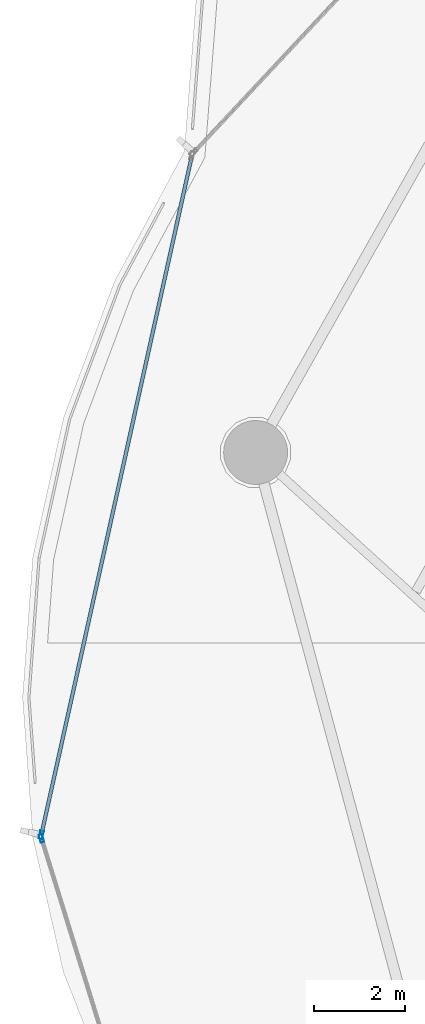
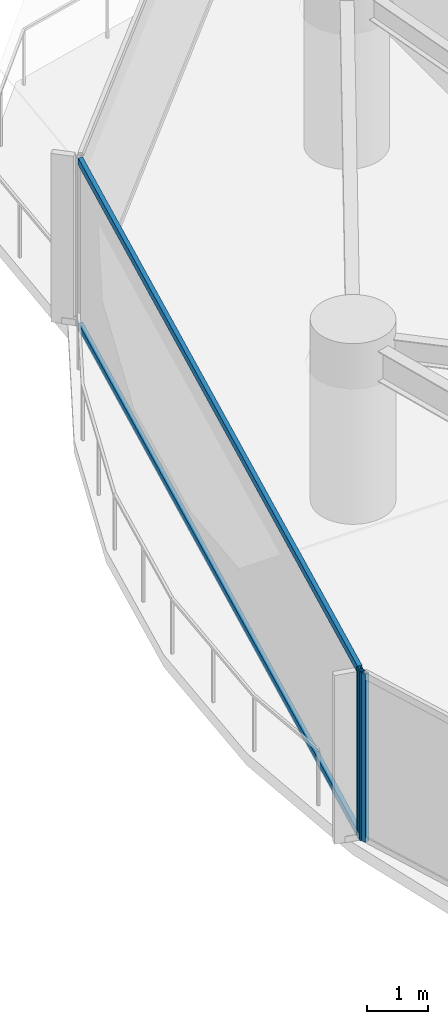
# One storey, part 8 of 33: 4 members, 2 elements without a shape of their own.
"""IFC4 building model written with IfcOpenShell, lengths in metres."""

from ifc_helpers import new_model, si_unit, direction, frame, origin, origin_2d, place, context, subcontext, project, spatial, hollow_rectangle, extrude, material, layer, layer_set, material_profile, profile_set, type_object, element, aggregate, save


model = new_model("IFC4")

# Units and contexts
model_context = context("Model", 3, precision=1e-05, world=origin(), true_north=direction((0.0, 1.0)))
body_context = subcontext(model_context, "Body", "Model", "MODEL_VIEW")
ifc_project = project(units=[si_unit("LENGTHUNIT", "METRE"), si_unit("AREAUNIT", "SQUARE_METRE"), si_unit("VOLUMEUNIT", "CUBIC_METRE"), si_unit("PLANEANGLEUNIT", "RADIAN"), si_unit("MASSUNIT", "GRAM", prefix="KILO")], contexts=[model_context])

# Site, building, storey
site_placement = place(None, origin())
site = spatial("IfcSite", under=ifc_project, at=site_placement, CompositionType="ELEMENT")
building_placement = place(site_placement, origin())
building = spatial("IfcBuilding", under=site, at=building_placement, Name="Kazevale Care Tower and Concert Hall", CompositionType="ELEMENT")
storey_placement = place(building_placement, frame((0.0, 0.0, 45.60009765625)))
storey = spatial("IfcBuildingStorey", under=building, at=storey_placement, Name="L11", CompositionType="ELEMENT", Elevation=45.60009765625)

# Curtain wall, member
ifc_material_1 = material(Name="Aluminium 6063-T6 and Low-E Glass", Category="aluminium")
ifc_layer = layer(ifc_material_1, 0.179931640625)
ifc_layer_set = layer_set([ifc_layer], Name="Aluminium 6063-T6 and Low-E Glass")
curtain_wall_type = type_object("IfcCurtainWallType", Name="Waist & Upper Residential Curtain Wall CW-4", PredefinedType="NOTDEFINED", material=ifc_layer_set)
curtain_wall_1_placement = place(storey_placement, origin())
curtain_wall_1 = element("IfcCurtainWall", 1, at=curtain_wall_1_placement, inside=storey, type_object=curtain_wall_type, Name="cw:L11:f12", PredefinedType="NOTDEFINED")
ifc_material_2 = material(Name="Aluminium 6063-T6", Category="aluminium")
ifc_material_profile_1 = material_profile(ifc_material_2, hollow_rectangle(XDim=0.080078125, YDim=0.179931640625, WallThickness=0.0048828125, at=origin_2d()), Name="ALU80x180x5")
ifc_profile_set_1 = profile_set([ifc_material_profile_1], Name="Aluminium 6063-T6")
member_type_1 = type_object("IfcMemberType", Name="CW-4 Mullion ALU80x180x5", PredefinedType="MULLION", material=ifc_profile_set_1)
member_1_placement = place(storey_placement, frame((9.61572265625, 34.919677734375, 0.0), z_axis=(0.0, 0.0, 1.0), x_axis=(-0.955157326175, -0.296098771112, 0.0)))
member_1 = element("IfcMember", 2, at=member_1_placement, type_object=member_type_1, Name="CW-4 mullion 2", PredefinedType="MULLION", context=body_context, shape_type="SweptSolid", body=[
    extrude(hollow_rectangle(XDim=0.080078125, YDim=0.179931640625, WallThickness=0.0048828125, at=origin_2d()), origin(), (0.0, 0.0, 1.0), 3.35986328125),
])
aggregate(curtain_wall_1, [member_1])

# Curtain wall, members
curtain_wall_2_placement = place(storey_placement, origin())
curtain_wall_2 = element("IfcCurtainWall", 3, at=curtain_wall_2_placement, inside=storey, type_object=curtain_wall_type, Name="cw:L11:f13", PredefinedType="NOTDEFINED")
member_2_placement = place(storey_placement, frame((9.612548828125, 34.9970703125, 0.0), z_axis=(0.0, 0.0, 1.0), x_axis=(-0.976291328475, 0.216460716862, 0.0)))
member_2 = element("IfcMember", 4, at=member_2_placement, type_object=member_type_1, Name="CW-4 mullion 1", PredefinedType="MULLION", context=body_context, shape_type="SweptSolid", body=[
    extrude(hollow_rectangle(XDim=0.080078125, YDim=0.179931640625, WallThickness=0.0048828125, at=origin_2d()), origin(), (0.0, 0.0, 1.0), 3.35986328125),
])
ifc_material_profile_2 = material_profile(ifc_material_2, hollow_rectangle(XDim=0.080078125, YDim=0.139892578125, WallThickness=0.00390625, at=origin_2d()), Name="ALU80x140x4")
ifc_profile_set_2 = profile_set([ifc_material_profile_2], Name="Aluminium 6063-T6")
member_type_2 = type_object("IfcMemberType", Name="CW-4 Transom ALU80x140x4", PredefinedType="USERDEFINED", material=ifc_profile_set_2)
member_3_placement = place(storey_placement, frame((9.621337890625, 35.0361328125, 0.039794921875), z_axis=(0.216465185417, 0.976290337708, 0.0), x_axis=(-0.976290337708, 0.216465185417, 0.0)))
member_3 = element("IfcMember", 5, at=member_3_placement, type_object=member_type_2, Name="CW-4 transom 1.1", ObjectType="TRANSOM", PredefinedType="USERDEFINED", context=body_context, shape_type="SweptSolid", body=[
    extrude(hollow_rectangle(XDim=0.080078125, YDim=0.139892578125, WallThickness=0.00390625, at=origin_2d()), origin(), (0.0, 0.0, 1.0), 15.16845703125),
])
member_4_placement = place(storey_placement, frame((9.621337890625, 35.0361328125, 3.31982421875), z_axis=(0.216465185417, 0.976290337708, 0.0), x_axis=(-0.976290337708, 0.216465185417, 0.0)))
member_4 = element("IfcMember", 6, at=member_4_placement, type_object=member_type_2, Name="CW-4 transom 1.2", ObjectType="TRANSOM", PredefinedType="USERDEFINED", context=body_context, shape_type="SweptSolid", body=[
    extrude(hollow_rectangle(XDim=0.080078125, YDim=0.139892578125, WallThickness=0.00390625, at=origin_2d()), origin(), (0.0, 0.0, 1.0), 15.16845703125),
])
aggregate(curtain_wall_2, [member_2, member_3, member_4])

save(model, "model.ifc")
